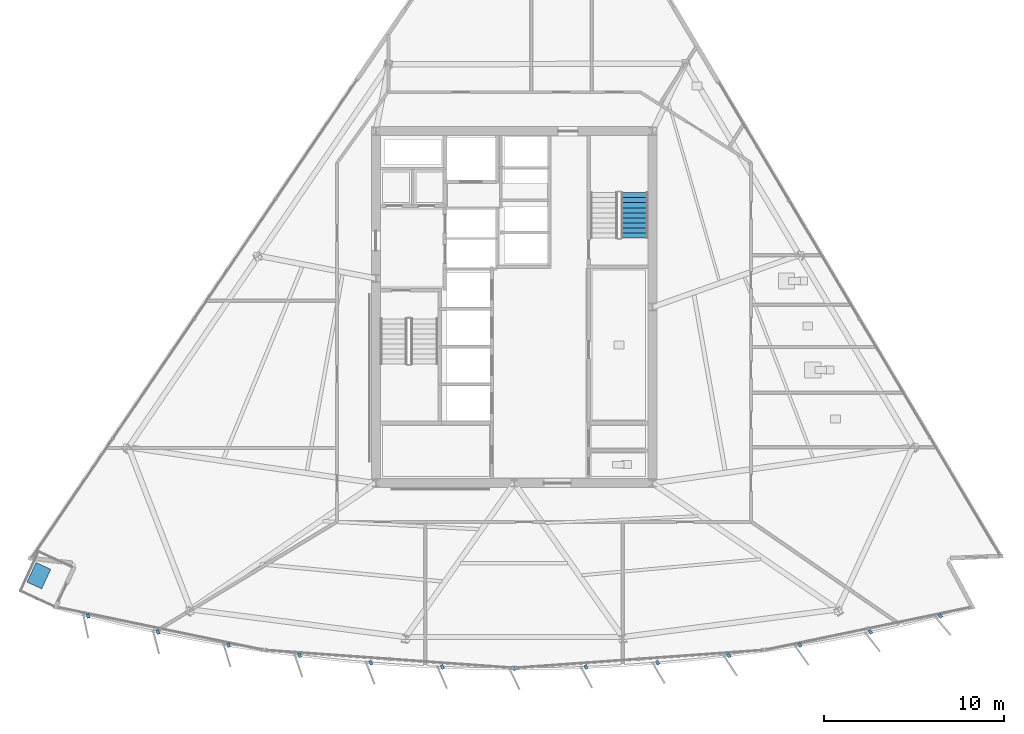
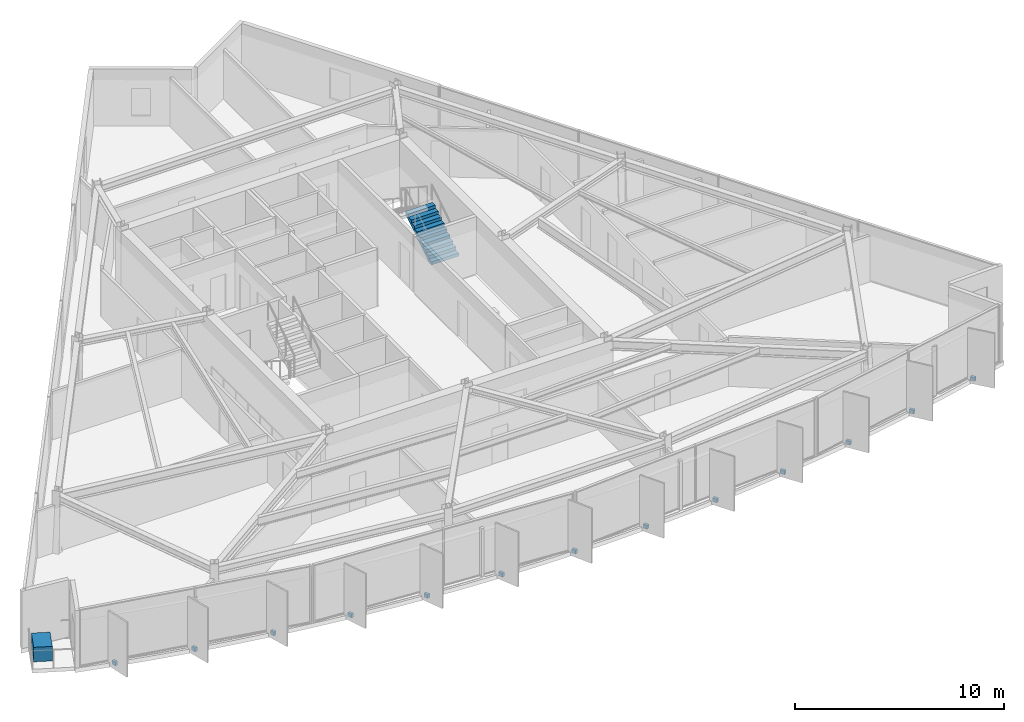
# One storey, part 10 of 15: 14 discrete accessories, 1 stair flight, 1 element without a shape of its own.
"""IFC4 building model written with IfcOpenShell, lengths in metres."""

from ifc_helpers import new_model, si_unit, direction, frame, origin, origin_2d, place, context, subcontext, project, spatial, polyline, rectangle, outline, extrude, material, type_object, element, aggregate, save


model = new_model("IFC4")

# Units and contexts
model_context = context("Model", 3, precision=1e-05, world=origin(), true_north=direction((0.0, 1.0)))
body_context = subcontext(model_context, "Body", "Model", "MODEL_VIEW")
ifc_project = project(units=[si_unit("LENGTHUNIT", "METRE"), si_unit("AREAUNIT", "SQUARE_METRE"), si_unit("VOLUMEUNIT", "CUBIC_METRE"), si_unit("PLANEANGLEUNIT", "RADIAN"), si_unit("MASSUNIT", "GRAM", prefix="KILO")], contexts=[model_context])

# Site, building, storey
site_placement = place(None, origin())
site = spatial("IfcSite", under=ifc_project, at=site_placement, CompositionType="ELEMENT")
building_placement = place(site_placement, origin())
building = spatial("IfcBuilding", under=site, at=building_placement, Name="Savorim Split Tower", CompositionType="ELEMENT")
storey_placement = place(building_placement, frame((0.0, 0.0, 142.199951171875)))
storey = spatial("IfcBuildingStorey", under=building, at=storey_placement, Name="L37", CompositionType="ELEMENT", Elevation=142.199951171875)

# Stair, stair flight
ifc_material_1 = material(Name="Concrete C50/60", Category="concrete")
stair_type = type_object("IfcStairType", Name="STR-DOG-3600", PredefinedType="HALF_TURN_STAIR", material=ifc_material_1)
stair_placement = place(storey_placement, origin())
stair = element("IfcStair", 1, at=stair_placement, inside=storey, type_object=stair_type, Name="L37 Core Protected Exit Stair ST-2", PredefinedType="HALF_TURN_STAIR")
stair_flight_type = type_object("IfcStairFlightType", Name="SFL-DOG-3600", PredefinedType="STRAIGHT", material=ifc_material_1)
stair_flight_placement = place(storey_placement, frame((6.699951171875, 4.25, 0.0), z_axis=(0.0, 0.0, 1.0), x_axis=(0.0, 1.0, 0.0)))
stair_flight = element("IfcStairFlight", 2, at=stair_flight_placement, type_object=stair_flight_type, Name="ST-2 flight 1", NumberOfRisers=10, NumberOfTreads=9, PredefinedType="STRAIGHT", RiserHeight=0.18, TreadLength=0.28, context=body_context, shape_type="SweptSolid", body=[
    extrude(outline(polyline([(0.0, 0.0), (0.0, 0.179931640625), (0.280029296875, 0.179931640625), (0.280029296875, 0.360107421875), (0.56005859375, 0.360107421875), (0.56005859375, 0.5400390625), (0.840087890625, 0.5400390625), (0.840087890625, 0.719970703125), (1.1201171875, 0.719970703125), (1.1201171875, 0.89990234375), (1.39990234375, 0.89990234375), (1.39990234375, 1.080078125), (1.679931640625, 1.080078125), (1.679931640625, 1.260009765625), (1.9599609375, 1.260009765625), (1.9599609375, 1.43994140625), (2.239990234375, 1.43994140625), (2.239990234375, 1.6201171875), (2.52001953125, 1.6201171875), (2.52001953125, 1.800048828125), (2.52001953125, 1.44189453125), (0.277099609375, 0.0), (0.0, 0.0)])), frame((0.0, 0.75, 0.0), z_axis=(0.0, -1.0, 0.0), x_axis=(1.0, 0.0, 0.0)), (0.0, 0.0, 1.0), 1.5),
])
aggregate(stair, [stair_flight])

# Discrete accessories
ifc_material_2 = material(Name="Steel S355", Category="steel")
discrete_accessory_type_1 = type_object("IfcDiscreteAccessoryType", Name="ACC-BRK-FIN", PredefinedType="BRACKET", material=ifc_material_2)
for number, where, z_axis, x_axis, name in (
    (3, (-23.720703125, -16.79443359375, -0.18994140625), (0.0, 0.0, 1.0), (0.206721626106, -0.978399800337, 0.0), "L37 Fin Slab-Edge Cleat Bracket 01"),
    (4, (-19.828369140625, -17.685791015625, -0.18994140625), (0.0, 0.0, 1.0), (0.246581250663, -0.969122121727, 0.0), "L37 Fin Slab-Edge Cleat Bracket 02"),
    (5, (-15.902587890625, -18.4169921875, -0.18994140625), (0.0, 0.0, 1.0), (0.286026212504, -0.958221793616, 0.0), "L37 Fin Slab-Edge Cleat Bracket 03"),
    (6, (-11.950439453125, -18.987060546875, -0.18994140625), (0.0, 0.0, 1.0), (0.324993810493, -0.945716143005, 0.0), "L37 Fin Slab-Edge Cleat Bracket 04"),
    (7, (-7.97802734375, -19.39501953125, -0.18994140625), (0.0, 0.0, 1.0), (0.363415461732, -0.931627179817, 0.0), "L37 Fin Slab-Edge Cleat Bracket 05"),
    (8, (-3.992431640625, -19.639892578125, -0.18994140625), (0.0, 0.0, 1.0), (0.401230091723, -0.915977299662, 0.0), "L37 Fin Slab-Edge Cleat Bracket 06"),
    (9, (0.0, -19.7216796875, -0.18994140625), (0.0, 0.0, 1.0), (0.438371146789, -0.898794046299, 0.0), "L37 Fin Slab-Edge Cleat Bracket 07"),
    (10, (3.992431640625, -19.639892578125, -0.18994140625), (0.0, 0.0, 1.0), (0.474778051978, -0.880105562623, 0.0), "L37 Fin Slab-Edge Cleat Bracket 08"),
    (11, (7.97802734375, -19.39501953125, -0.18994140625), (0.0, 0.0, 1.0), (0.510391336723, -0.859942255851, 0.0), "L37 Fin Slab-Edge Cleat Bracket 09"),
    (12, (11.950439453125, -18.987060546875, -0.18994140625), (0.0, 0.0, 1.0), (0.545148321708, -0.838339613366, 0.0), "L37 Fin Slab-Edge Cleat Bracket 10"),
    (13, (15.902587890625, -18.4169921875, -0.18994140625), (0.0, 0.0, 1.0), (0.578993757737, -0.815331974414, 0.0), "L37 Fin Slab-Edge Cleat Bracket 11"),
    (14, (19.828369140625, -17.685791015625, -0.18994140625), (0.0, 0.0, 1.0), (0.611868076908, -0.790959832394, 0.0), "L37 Fin Slab-Edge Cleat Bracket 12"),
    (15, (23.720703125, -16.79443359375, -0.18994140625), (0.0, 0.0, 1.0), (0.643719022682, -0.765261928909, 0.0), "L37 Fin Slab-Edge Cleat Bracket 13"),
):
    element("IfcDiscreteAccessory", number, at=place(storey_placement, frame(where, z_axis=z_axis, x_axis=x_axis)), inside=storey, type_object=discrete_accessory_type_1, Name=name, PredefinedType="BRACKET", context=body_context, shape_type="SweptSolid", body=[
        extrude(rectangle(XDim=0.239990234375, YDim=0.159912109375, at=origin_2d()), origin(), (0.0, 0.0, 1.0), 0.219970703125),
    ])
ifc_material_3 = material(Name="Architectural Precast Planter Concrete C40/50", Category="concrete")
discrete_accessory_type_2 = type_object("IfcDiscreteAccessoryType", Name="ACC-PLN-TREE", PredefinedType="USERDEFINED", material=ifc_material_3)
discrete_accessory_placement = place(storey_placement, frame((-26.4560546875, -14.548583984375, 0.0), z_axis=(0.0, 0.0, 1.0), x_axis=(-0.417494411878, -0.908679490277, 0.0)))
element("IfcDiscreteAccessory", 16, at=discrete_accessory_placement, inside=storey, type_object=discrete_accessory_type_2, Name="L37 Balcony Precast Tree Planter SW", ObjectType="PLANTER", PredefinedType="USERDEFINED", context=body_context, shape_type="SweptSolid", body=[
    extrude(rectangle(XDim=1.199951171875, YDim=0.89990234375, at=origin_2d()), origin(), (0.0, 0.0, 1.0), 0.85009765625),
])

save(model, "model.ifc")
